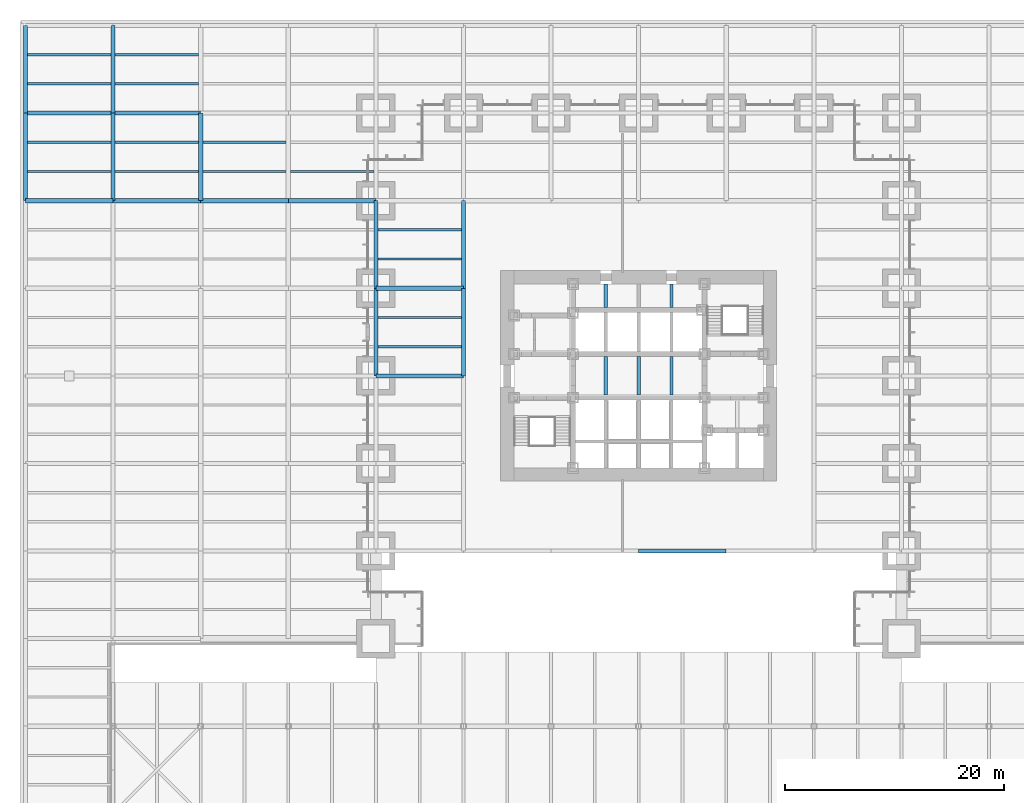
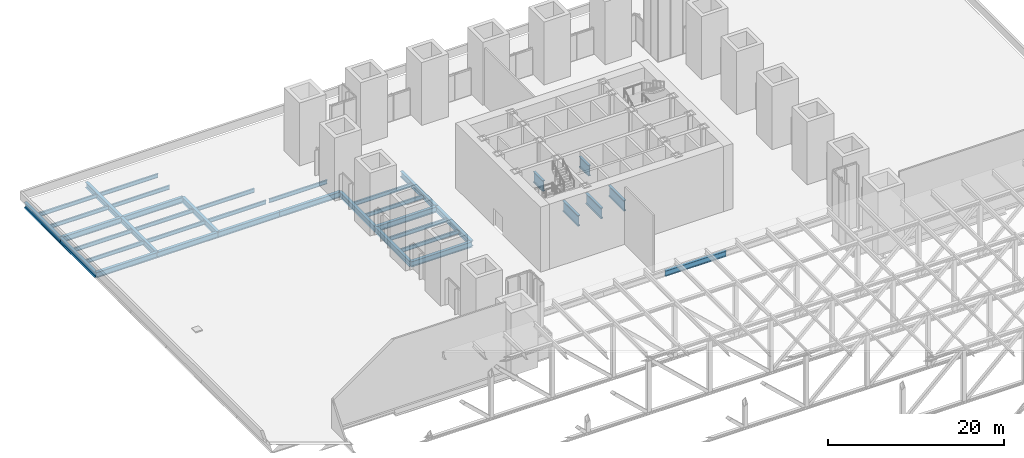
# One storey, part 8 of 20: 38 beams.
"""IFC4 building model written with IfcOpenShell, lengths in metres."""

import ifcopenshell
import ifcopenshell.guid

model = None  # the IFC model being written
_history = None  # IfcOwnerHistory: only IFC2X3 demands one
_inside = {}  # id of a spatial element -> (the spatial element, [elements in it])
_under = {}  # id of a project, library or spatial element -> (it, [spatial elements below it])
_declared = {}  # id of a project -> (the project, [libraries it declares])
_typed = {}  # id of a type object -> (the type object, [elements of that type])
_made_of = {}  # id of a material, layer set ... -> (it, [elements and type objects made of it])


def new_model(schema):
    """Start an empty IFC model of exactly this schema.

    Asked for "IFC4X3", IfcOpenShell would pick the latest addendum, in which some entities
    have other attributes; the version numbers below select the first issue.
    IFC2X3 requires an IfcOwnerHistory on every rooted entity: one is made here for all.
    """
    global model, _history
    if schema == "IFC4X3":
        model = ifcopenshell.file(schema_version=(4, 3, 0, 0))
    else:
        model = ifcopenshell.file(schema=schema)
    _inside.clear()
    _under.clear()
    _declared.clear()
    _typed.clear()
    _made_of.clear()
    _history = None
    if model.schema == "IFC2X3":
        org = make("IfcOrganization", Name="unknown")
        user = make(
            "IfcPersonAndOrganization",
            ThePerson=make("IfcPerson", FamilyName="unknown"),
            TheOrganization=org,
        )
        app = make(
            "IfcApplication",
            ApplicationDeveloper=org,
            Version="unknown",
            ApplicationFullName="unknown",
            ApplicationIdentifier="unknown",
        )
        _history = make(
            "IfcOwnerHistory",
            OwningUser=user,
            OwningApplication=app,
            ChangeAction="ADDED",
            CreationDate=0,
        )
    return model


def make(cls, **values):
    """One entity of the class cls with the attributes given. An attribute that is None is left unset."""
    return model.create_entity(
        cls, **{name: value for name, value in values.items() if value is not None}
    )


def rooted(cls, **values):
    """An entity with a GlobalId (a new one), such as an element, a storey or a relation."""
    return make(cls, GlobalId=ifcopenshell.guid.new(), OwnerHistory=_history, **values)


def si_unit(unit_type, name, prefix=None):
    """IfcSIUnit, for example si_unit("LENGTHUNIT", "METRE", prefix="MILLI")."""
    return make("IfcSIUnit", UnitType=unit_type, Prefix=prefix, Name=name)


def assignment(units):
    """IfcUnitAssignment: the units of a project."""
    return None if units is None else make("IfcUnitAssignment", Units=units)


def point(xyz):
    """IfcCartesianPoint."""
    return None if xyz is None else make("IfcCartesianPoint", Coordinates=xyz)


def direction(xyz):
    """IfcDirection."""
    return None if xyz is None else make("IfcDirection", DirectionRatios=xyz)


def frame(location, z_axis=None, x_axis=None):
    """IfcAxis2Placement3D, a coordinate frame: its origin and axes. An axis left out is left unset."""
    return make(
        "IfcAxis2Placement3D",
        Location=point(location),
        Axis=direction(z_axis),
        RefDirection=direction(x_axis),
    )


def frame_2d(location, x_axis=None):
    """IfcAxis2Placement2D, a coordinate frame in the plane: its origin and x axis."""
    return make(
        "IfcAxis2Placement2D", Location=point(location), RefDirection=direction(x_axis)
    )


def origin():
    """The frame at (0, 0, 0) with its axes left unset."""
    return frame((0.0, 0.0, 0.0))


def origin_2d():
    """The frame at (0, 0) in the plane with its x axis left unset."""
    return frame_2d((0.0, 0.0))


def place(relative_to, where):
    """IfcLocalPlacement: puts the frame where relative to a parent placement (None: the world)."""
    return make(
        "IfcLocalPlacement", PlacementRelTo=relative_to, RelativePlacement=where
    )


def context(
    kind, dimensions, precision=None, world=None, true_north=None, identifier=None
):
    """IfcGeometricRepresentationContext, for example the 3D "Model" context."""
    return make(
        "IfcGeometricRepresentationContext",
        ContextIdentifier=identifier,
        ContextType=kind,
        CoordinateSpaceDimension=dimensions,
        Precision=precision,
        WorldCoordinateSystem=world,
        TrueNorth=true_north,
    )


def subcontext(parent, identifier, kind, view, scale=None):
    """IfcGeometricRepresentationSubContext, for example "Body" below "Model"."""
    return make(
        "IfcGeometricRepresentationSubContext",
        ContextIdentifier=identifier,
        ContextType=kind,
        ParentContext=parent,
        TargetScale=scale,
        TargetView=view,
    )


def project(units=None, contexts=None):
    """IfcProject with its units and contexts."""
    return rooted(
        "IfcProject",
        Name="project",
        RepresentationContexts=contexts,
        UnitsInContext=assignment(units),
    )


def spatial(cls, under=None, at=None, **own):
    """A site, building, storey or space (cls), placed at a placement, below another one or the project."""
    s = rooted(cls, ObjectPlacement=at, **own)
    if under is not None:
        _under.setdefault(under.id(), (under, []))[1].append(s)
    return s


def profile(cls, at=None, kind="AREA", **sizes):
    """A parametric profile (cls). Its sizes go by their IFC names, for example OverallWidth=200.0."""
    return make(cls, ProfileType=kind, Position=at, **sizes)


def i_section(**sizes):
    """IfcIShapeProfileDef."""
    return profile("IfcIShapeProfileDef", **sizes)


def extrude(swept, where, along, depth):
    """IfcExtrudedAreaSolid: the profile swept, set in the frame where, extruded along a direction by depth."""
    return make(
        "IfcExtrudedAreaSolid",
        SweptArea=swept,
        Position=where,
        ExtrudedDirection=direction(along),
        Depth=depth,
    )


def shape(context_of_items, identifier, shape_type, items):
    """IfcShapeRepresentation: the items that make up one representation, for example the "Body"."""
    return make(
        "IfcShapeRepresentation",
        ContextOfItems=context_of_items,
        RepresentationIdentifier=identifier,
        RepresentationType=shape_type,
        Items=items,
    )


def material(Name=None, Category=None):
    """IfcMaterial."""
    return make("IfcMaterial", Name=Name, Category=Category)


def material_profile(
    of_material, cross_section, Name=None, Category=None, Priority=None
):
    """IfcMaterialProfile: a cross section and its material."""
    return make(
        "IfcMaterialProfile",
        Name=Name,
        Material=of_material,
        Profile=cross_section,
        Priority=Priority,
        Category=Category,
    )


def profile_set(profiles, Name=None, composite=None):
    """IfcMaterialProfileSet."""
    return make(
        "IfcMaterialProfileSet",
        Name=Name,
        MaterialProfiles=profiles,
        CompositeProfile=composite,
    )


def made_of(thing, what):
    """Note that an element or type object is made of a material, layer set ...; save() writes the relation."""
    if what is not None:
        _made_of.setdefault(what.id(), (what, []))[1].append(thing)
    return thing


def type_object(cls, material=None, **own):
    """A type object (cls), such as IfcWallType, which elements share."""
    return made_of(rooted(cls, **own), material)


def element(
    cls,
    number,
    at=None,
    inside=None,
    cuts=None,
    type_object=None,
    material=None,
    context=None,
    identifier="Body",
    shape_type=None,
    held_by="IfcProductDefinitionShape",
    body=None,
    shapes=None,
    **own,
):
    """One element of the class cls, such as IfcWall. Its Tag is "e" and its number.

    at: its placement. inside: the storey or other place that contains it. cuts: it is an
    opening in that element (IfcRelVoidsElement). A single representation is given by context,
    identifier, shape_type and body (its items); several are given by shapes. held_by: the class
    of the entity that holds the representations. save() writes the other relations.
    """
    e = rooted(cls, Tag="e%d" % number, ObjectPlacement=at, **own)
    if body is not None:
        shapes = [shape(context, identifier, shape_type, body)]
    if shapes is not None:
        e.Representation = make(held_by, Representations=shapes)
    if inside is not None:
        _inside.setdefault(inside.id(), (inside, []))[1].append(e)
    if cuts is not None:
        rooted(
            "IfcRelVoidsElement", RelatingBuildingElement=cuts, RelatedOpeningElement=e
        )
    if type_object is not None:
        _typed.setdefault(type_object.id(), (type_object, []))[1].append(e)
    return made_of(e, material)


def aggregate(whole, parts):
    """IfcRelAggregates: a whole, such as a stair, and the parts it consists of."""
    return rooted("IfcRelAggregates", RelatingObject=whole, RelatedObjects=parts)


def save(model, path):
    """Write the relations noted so far, then the file.

    IfcRelAggregates (storeys below a building ...), IfcRelContainedInSpatialStructure (elements
    in a storey), IfcRelDefinesByType, IfcRelAssociatesMaterial and IfcRelDeclares: one each for
    every whole, place, type object, material and project.
    """
    for whole, parts in _under.values():
        aggregate(whole, parts)
    for where, things in _inside.values():
        rooted(
            "IfcRelContainedInSpatialStructure",
            RelatedElements=things,
            RelatingStructure=where,
        )
    for kind, things in _typed.values():
        rooted("IfcRelDefinesByType", RelatedObjects=things, RelatingType=kind)
    for what, things in _made_of.values():
        rooted("IfcRelAssociatesMaterial", RelatedObjects=things, RelatingMaterial=what)
    for by, libraries in _declared.values():
        rooted("IfcRelDeclares", RelatingContext=by, RelatedDefinitions=libraries)
    model.write(path)


model = new_model("IFC4")

# Units and contexts
model_context = context("Model", 3, precision=1e-05, world=origin(), true_north=direction((0.0, 1.0)))
body_context = subcontext(model_context, "Body", "Model", "MODEL_VIEW")
ifc_project = project(units=[si_unit("LENGTHUNIT", "METRE"), si_unit("AREAUNIT", "SQUARE_METRE"), si_unit("VOLUMEUNIT", "CUBIC_METRE"), si_unit("PLANEANGLEUNIT", "RADIAN"), si_unit("MASSUNIT", "GRAM", prefix="KILO")], contexts=[model_context])

# Site, building, storey
site_placement = place(None, origin())
site = spatial("IfcSite", under=ifc_project, at=site_placement, CompositionType="ELEMENT")
building_placement = place(site_placement, origin())
building = spatial("IfcBuilding", under=site, at=building_placement, Name="Daluyong Arena Tower", CompositionType="ELEMENT")
storey_placement = place(building_placement, frame((0.0, 0.0, 25.89990234375)))
storey = spatial("IfcBuildingStorey", under=building, at=storey_placement, Name="L05", CompositionType="ELEMENT", Elevation=25.89990234375)

# Beams
ifc_material_1 = material(Name="Steel ASTM A572 Grade 50", Category="steel")
ifc_material_profile_1 = material_profile(ifc_material_1, i_section(OverallWidth=0.300048828125, OverallDepth=1.5, WebThickness=0.04, FlangeThickness=0.1, at=origin_2d()))
ifc_profile_set_1 = profile_set([ifc_material_profile_1], Name="Steel ASTM A572 Grade 50")
beam_type_1 = type_object("IfcBeamType", Name="Lift divider beam PG1500X300", PredefinedType="BEAM", material=ifc_profile_set_1)
beam_1_placement = place(storey_placement, frame((53.0, 78.25, -1.0), z_axis=(0.0, 1.0, 0.0), x_axis=(-1.0, 0.0, 0.0)))
element("IfcBeam", 1, at=beam_1_placement, inside=storey, type_object=beam_type_1, Name="lift divider beam DB2", PredefinedType="BEAM", context=body_context, shape_type="SweptSolid", body=[
    extrude(i_section(OverallWidth=0.300048828125, OverallDepth=1.5, WebThickness=0.04, FlangeThickness=0.1, at=origin_2d()), origin(), (0.0, 0.0, 1.0), 3.5),
])
beam_2_placement = place(storey_placement, frame((53.0, 86.25, -1.0), z_axis=(0.0, 1.0, 0.0), x_axis=(-1.0, 0.0, 0.0)))
element("IfcBeam", 2, at=beam_2_placement, inside=storey, type_object=beam_type_1, Name="lift divider beam DB2", PredefinedType="BEAM", context=body_context, shape_type="SweptSolid", body=[
    extrude(i_section(OverallWidth=0.300048828125, OverallDepth=1.5, WebThickness=0.04, FlangeThickness=0.1, at=origin_2d()), origin(), (0.0, 0.0, 1.0), 2.14990234375),
])
for number, where, z_axis, x_axis, name in (
    (3, (56.0, 78.25, -1.0), (0.0, 1.0, 0.0), (-1.0, 0.0, 0.0), "lift divider beam DB2"),
    (4, (59.0, 78.25, -1.0), (0.0, 1.0, 0.0), (-1.0, 0.0, 0.0), "lift divider beam DB2"),
):
    element("IfcBeam", number, at=place(storey_placement, frame(where, z_axis=z_axis, x_axis=x_axis)), inside=storey, type_object=beam_type_1, Name=name, PredefinedType="BEAM", context=body_context, shape_type="SweptSolid", body=[
        extrude(i_section(OverallWidth=0.300048828125, OverallDepth=1.5, WebThickness=0.04, FlangeThickness=0.1, at=origin_2d()), origin(), (0.0, 0.0, 1.0), 3.5),
    ])
beam_3_placement = place(storey_placement, frame((59.0, 86.25, -1.0), z_axis=(0.0, 1.0, 0.0), x_axis=(-1.0, 0.0, 0.0)))
element("IfcBeam", 5, at=beam_3_placement, inside=storey, type_object=beam_type_1, Name="lift divider beam DB2", PredefinedType="BEAM", context=body_context, shape_type="SweptSolid", body=[
    extrude(i_section(OverallWidth=0.300048828125, OverallDepth=1.5, WebThickness=0.04, FlangeThickness=0.1, at=origin_2d()), origin(), (0.0, 0.0, 1.0), 2.14990234375),
])
ifc_material_2 = material(Name="Steel ASTM A992 Grade 50", Category="steel")
ifc_material_profile_2 = material_profile(ifc_material_2, i_section(OverallWidth=0.209228515625, OverallDepth=0.533447265625, WebThickness=0.01025390625, FlangeThickness=0.015625, at=origin_2d()))
ifc_profile_set_2 = profile_set([ifc_material_profile_2], Name="Steel ASTM A992 Grade 50")
beam_type_2 = type_object("IfcBeamType", Name="Podium floor beam W21X62", PredefinedType="BEAM", material=ifc_profile_set_2)
for number, where, z_axis, x_axis, name in (
    (6, (0.1904296875, 98.666748046875, -0.5166015625), (1.0, 0.0, 0.0), (0.0, 1.0, 0.0), "podium floor beam PB1"),
    (7, (0.1904296875, 101.333251953125, -0.5166015625), (1.0, 0.0, 0.0), (0.0, 1.0, 0.0), "podium floor beam PB1"),
    (8, (0.1904296875, 106.666748046875, -0.5166015625), (1.0, 0.0, 0.0), (0.0, 1.0, 0.0), "podium floor beam PB1"),
    (9, (0.1904296875, 109.333251953125, -0.5166015625), (1.0, 0.0, 0.0), (0.0, 1.0, 0.0), "podium floor beam PB1"),
    (10, (8.1904296875, 98.666748046875, -0.5166015625), (1.0, 0.0, 0.0), (0.0, 1.0, 0.0), "podium floor beam PB1"),
    (11, (8.1904296875, 101.333251953125, -0.5166015625), (1.0, 0.0, 0.0), (0.0, 1.0, 0.0), "podium floor beam PB1"),
    (12, (8.1904296875, 106.666748046875, -0.5166015625), (1.0, 0.0, 0.0), (0.0, 1.0, 0.0), "podium floor beam PB1"),
    (13, (8.1904296875, 109.333251953125, -0.5166015625), (1.0, 0.0, 0.0), (0.0, 1.0, 0.0), "podium floor beam PB1"),
    (14, (16.1904296875, 98.666748046875, -0.5166015625), (1.0, 0.0, 0.0), (0.0, 1.0, 0.0), "podium floor beam PB1"),
    (15, (16.1904296875, 101.333251953125, -0.5166015625), (1.0, 0.0, 0.0), (0.0, 1.0, 0.0), "podium floor beam PB1"),
    (16, (24.1904296875, 98.666748046875, -0.5166015625), (1.0, 0.0, 0.0), (0.0, 1.0, 0.0), "podium floor beam PB1"),
    (17, (32.1904296875, 82.666748046875, -0.5166015625), (1.0, 0.0, 0.0), (0.0, 1.0, 0.0), "podium floor beam PB1"),
    (18, (32.1904296875, 85.333251953125, -0.5166015625), (1.0, 0.0, 0.0), (0.0, 1.0, 0.0), "podium floor beam PB1"),
    (19, (32.1904296875, 90.666748046875, -0.5166015625), (1.0, 0.0, 0.0), (0.0, 1.0, 0.0), "podium floor beam PB1"),
    (20, (32.1904296875, 93.333251953125, -0.5166015625), (1.0, 0.0, 0.0), (0.0, 1.0, 0.0), "podium floor beam PB1"),
):
    element("IfcBeam", number, at=place(storey_placement, frame(where, z_axis=z_axis, x_axis=x_axis)), inside=storey, type_object=beam_type_2, Name=name, PredefinedType="BEAM", context=body_context, shape_type="SweptSolid", body=[
        extrude(i_section(OverallWidth=0.209228515625, OverallDepth=0.533447265625, WebThickness=0.01025390625, FlangeThickness=0.015625, at=origin_2d()), origin(), (0.0, 0.0, 1.0), 7.619140625),
    ])
ifc_material_3 = material(Name="Steel ASTM A992 Grade 50", Category="steel")
ifc_material_profile_3 = material_profile(ifc_material_3, i_section(OverallWidth=0.381103515625, OverallDepth=0.772216796875, WebThickness=0.0166015625, FlangeThickness=0.027099609375, at=origin_2d()))
ifc_profile_set_3 = profile_set([ifc_material_profile_3], Name="Steel ASTM A992 Grade 50")
beam_type_3 = type_object("IfcBeamType", Name="Podium girder W30X173", PredefinedType="BEAM", material=ifc_profile_set_3)
for number, where, z_axis, x_axis, name in (
    (21, (0.0, 96.0, -0.635986328125), (1.0, 0.0, 0.0), (0.0, 1.0, 0.0), "podium girder PG1"),
    (22, (0.0, 96.0, -0.635986328125), (0.0, 1.0, 0.0), (-1.0, 0.0, 0.0), "podium girder PG1"),
    (23, (0.0, 104.0, -0.635986328125), (1.0, 0.0, 0.0), (0.0, 1.0, 0.0), "podium girder PG1"),
    (24, (0.0, 104.0, -0.635986328125), (0.0, 1.0, 0.0), (-1.0, 0.0, 0.0), "podium girder PG1"),
    (25, (8.0, 96.0, -0.635986328125), (1.0, 0.0, 0.0), (0.0, 1.0, 0.0), "podium girder PG1"),
    (26, (8.0, 96.0, -0.635986328125), (0.0, 1.0, 0.0), (-1.0, 0.0, 0.0), "podium girder PG1"),
    (27, (8.0, 104.0, -0.635986328125), (1.0, 0.0, 0.0), (0.0, 1.0, 0.0), "podium girder PG1"),
    (28, (8.0, 104.0, -0.635986328125), (0.0, 1.0, 0.0), (-1.0, 0.0, 0.0), "podium girder PG1"),
    (29, (16.0, 96.0, -0.635986328125), (1.0, 0.0, 0.0), (0.0, 1.0, 0.0), "podium girder PG1"),
    (30, (16.0, 96.0, -0.635986328125), (0.0, 1.0, 0.0), (-1.0, 0.0, 0.0), "podium girder PG1"),
    (31, (24.0, 96.0, -0.635986328125), (1.0, 0.0, 0.0), (0.0, 1.0, 0.0), "podium girder PG1"),
    (32, (32.0, 80.0, -0.635986328125), (1.0, 0.0, 0.0), (0.0, 1.0, 0.0), "podium girder PG1"),
    (33, (32.0, 80.0, -0.635986328125), (0.0, 1.0, 0.0), (-1.0, 0.0, 0.0), "podium girder PG1"),
    (34, (32.0, 88.0, -0.635986328125), (1.0, 0.0, 0.0), (0.0, 1.0, 0.0), "podium girder PG1"),
    (35, (32.0, 88.0, -0.635986328125), (0.0, 1.0, 0.0), (-1.0, 0.0, 0.0), "podium girder PG1"),
    (36, (40.0, 80.0, -0.635986328125), (0.0, 1.0, 0.0), (-1.0, 0.0, 0.0), "podium girder PG1"),
    (37, (40.0, 88.0, -0.635986328125), (0.0, 1.0, 0.0), (-1.0, 0.0, 0.0), "podium girder PG1"),
    (38, (56.0, 64.0, -0.635986328125), (1.0, 0.0, 0.0), (0.0, 1.0, 0.0), "podium girder PG1"),
):
    element("IfcBeam", number, at=place(storey_placement, frame(where, z_axis=z_axis, x_axis=x_axis)), inside=storey, type_object=beam_type_3, Name=name, PredefinedType="BEAM", context=body_context, shape_type="SweptSolid", body=[
        extrude(i_section(OverallWidth=0.381103515625, OverallDepth=0.772216796875, WebThickness=0.0166015625, FlangeThickness=0.027099609375, at=origin_2d()), origin(), (0.0, 0.0, 1.0), 8.0),
    ])

save(model, "model.ifc")
